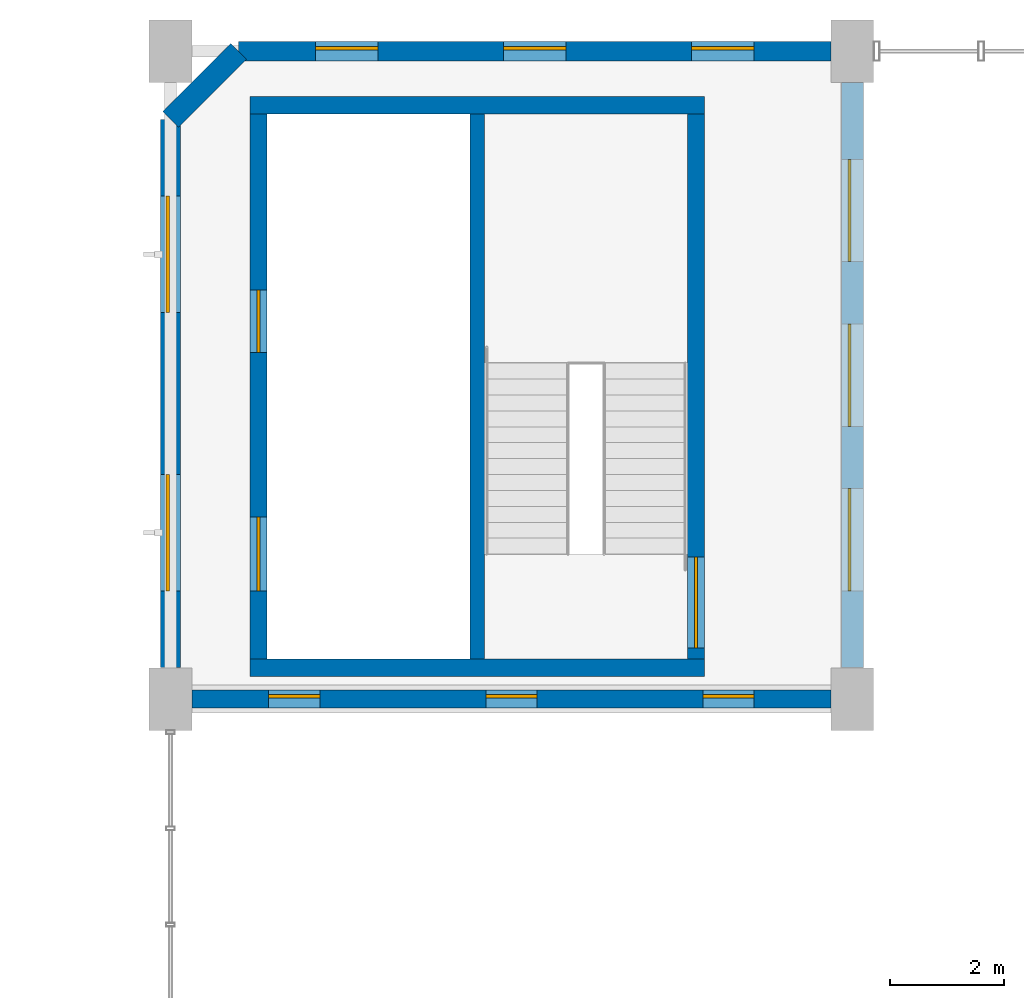
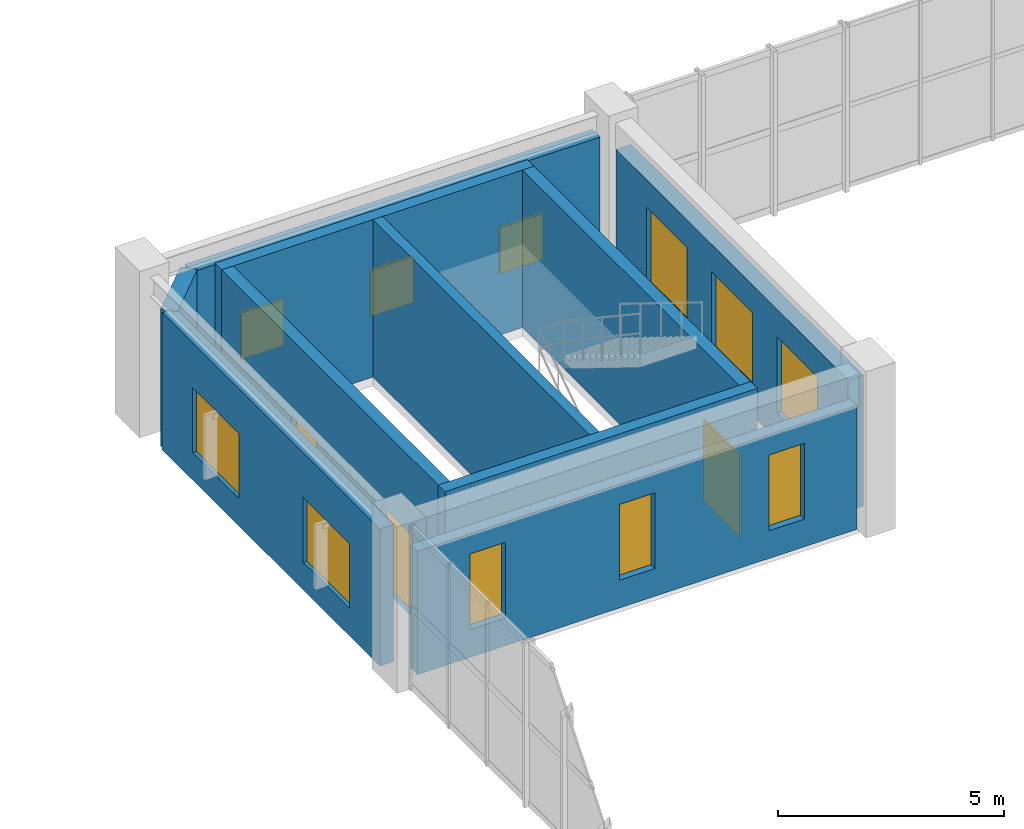
# One storey, part 39 of 48: 11 windows, 10 walls, 3 doors, 14 openings.
"""IFC4 building model written with IfcOpenShell, lengths in metres."""

from ifc_helpers import new_model, si_unit, direction, frame, frame_2d, origin, place, context, subcontext, project, spatial, rectangle, extrude, material, layer, layer_set, type_object, element, fill, save


model = new_model("IFC4")

# Units and contexts
model_context = context("Model", 3, precision=1e-05, world=origin(), true_north=direction((0.0, 1.0)))
body_context = subcontext(model_context, "Body", "Model", "MODEL_VIEW")
ifc_project = project(units=[si_unit("LENGTHUNIT", "METRE"), si_unit("AREAUNIT", "SQUARE_METRE"), si_unit("VOLUMEUNIT", "CUBIC_METRE"), si_unit("PLANEANGLEUNIT", "RADIAN"), si_unit("MASSUNIT", "GRAM", prefix="KILO"), si_unit("POWERUNIT", "WATT"), si_unit("THERMODYNAMICTEMPERATUREUNIT", "KELVIN")], contexts=[model_context])

# Site, building, storey
site_placement = place(None, origin())
site = spatial("IfcSite", under=ifc_project, at=site_placement, CompositionType="ELEMENT")
building_placement = place(site_placement, origin())
building = spatial("IfcBuilding", under=site, at=building_placement, Name="Kelmbourne Parkland Aquatics Centre", CompositionType="ELEMENT")
storey_placement = place(building_placement, frame((0.0, 0.0, 14.699951171875)))
storey = spatial("IfcBuildingStorey", under=building, at=storey_placement, Name="L03", CompositionType="ELEMENT", Elevation=14.699951171875)

# Walls
ifc_material_1 = material(Name="Concrete C40/50", Category="concrete")
ifc_layer_1 = layer(ifc_material_1, 0.25)
ifc_layer_set_1 = layer_set([ifc_layer_1], Name="Concrete C40/50")
wall_type_1 = type_object("IfcWallType", Name="W-CORE-250", PredefinedType="SHEAR", material=ifc_layer_set_1)
wall_1_placement = place(storey_placement, frame((133.39990234375, 104.10009765625, 0.0), z_axis=(0.0, 0.0, 1.0), x_axis=(0.0, 1.0, 0.0)))
element("IfcWall", 1, at=wall_1_placement, inside=storey, type_object=wall_type_1, Name="North Diving Control Fire-Fighting Core divider wall (L03)", PredefinedType="SHEAR", context=body_context, shape_type="SweptSolid", body=[
    extrude(rectangle(XDim=9.599853515625, YDim=0.25, at=frame_2d((4.7998046875, 0.0))), origin(), (0.0, 0.0, 1.0), 4.260009765625),
])
ifc_layer_2 = layer(ifc_material_1, 0.300048828125)
ifc_layer_set_2 = layer_set([ifc_layer_2], Name="Concrete C40/50")
wall_type_2 = type_object("IfcWallType", Name="W-CORE-300", PredefinedType="SHEAR", material=ifc_layer_set_2)
for number, where, z_axis, x_axis, name in (
    (2, (129.39990234375, 103.949951171875, 0.0), (0.0, 0.0, 1.0), (1.0, 0.0, 0.0), "North Diving Control Fire-Fighting Core south wall (L03)"),
    (3, (129.39990234375, 113.85009765625, 0.0), (0.0, 0.0, 1.0), (1.0, 0.0, 0.0), "North Diving Control Fire-Fighting Core north wall (L03)"),
):
    element("IfcWall", number, at=place(storey_placement, frame(where, z_axis=z_axis, x_axis=x_axis)), inside=storey, type_object=wall_type_2, Name=name, PredefinedType="SHEAR", context=body_context, shape_type="SweptSolid", body=[
        extrude(rectangle(XDim=8.0, YDim=0.300048828125, at=frame_2d((4.0, 0.0))), origin(), (0.0, 0.0, 1.0), 4.260009765625),
    ])

# Wall, openings, doors
wall_2_placement = place(storey_placement, frame((129.550048828125, 104.10009765625, 0.0), z_axis=(0.0, 0.0, 1.0), x_axis=(0.0, 1.0, 0.0)))
wall_2 = element("IfcWall", 4, at=wall_2_placement, inside=storey, type_object=wall_type_2, Name="North Diving Control Fire-Fighting Core west wall (L03)", PredefinedType="SHEAR", context=body_context, shape_type="SweptSolid", body=[
    extrude(rectangle(XDim=9.599853515625, YDim=0.300048828125, at=frame_2d((4.7998046875, 0.0))), origin(), (0.0, 0.0, 1.0), 4.260009765625),
])
opening_1_placement = place(wall_2_placement, frame((1.199951171875, 0.0, 0.0)))
opening_1 = element("IfcOpeningElement", 5, at=opening_1_placement, cuts=wall_2, Name="Opening LD02", PredefinedType="OPENING", context=body_context, shape_type="SweptSolid", body=[
    extrude(rectangle(XDim=1.300048828125, YDim=2.199951171875, at=frame_2d((0.64990234375, 1.10009765625))), frame((0.0, 0.162109375, 0.0), z_axis=(0.0, -1.0, 0.0), x_axis=(1.0, 0.0, 0.0)), (0.0, 0.0, 1.0), 0.323974609375),
])
opening_2_placement = place(wall_2_placement, frame((5.39990234375, 0.0, 0.0)))
opening_2 = element("IfcOpeningElement", 6, at=opening_2_placement, cuts=wall_2, Name="Opening LD01", PredefinedType="OPENING", context=body_context, shape_type="SweptSolid", body=[
    extrude(rectangle(XDim=1.10009765625, YDim=2.199951171875, at=frame_2d((0.550048828125, 1.10009765625))), frame((0.0, 0.162109375, 0.0), z_axis=(0.0, -1.0, 0.0), x_axis=(1.0, 0.0, 0.0)), (0.0, 0.0, 1.0), 0.323974609375),
])
ifc_material_2 = material(Name="Marine-grade stainless steel and fire-rated hardwood doorset", Category="steel")
ifc_layer_3 = layer(ifc_material_2, 0.050048828125)
ifc_layer_set_3 = layer_set([ifc_layer_3], Name="Marine-grade stainless steel and fire-rated hardwood doorset")
door_type_1 = type_object("IfcDoorType", Name="DR-LD-110", OperationType="NOTDEFINED", PredefinedType="DOOR", material=ifc_layer_set_3)
door_1_placement = place(opening_2_placement, origin())
door_1 = element("IfcDoor", 7, at=door_1_placement, inside=storey, type_object=door_type_1, Name="Lift landing sliding door LF08 (L03)", OperationType="SLIDING_TO_RIGHT", OverallHeight=2.199951171875, OverallWidth=1.10009765625, PredefinedType="DOOR", context=body_context, shape_type="SweptSolid", body=[
    extrude(rectangle(XDim=1.10009765625, YDim=2.199951171875, at=frame_2d((0.550048828125, 1.10009765625))), frame((0.0, 0.02490234375, 0.0), z_axis=(0.0, -1.0, 0.0), x_axis=(1.0, 0.0, 0.0)), (0.0, 0.0, 1.0), 0.050048828125),
])
fill(opening_2, door_1)
ifc_layer_4 = layer(ifc_material_2, 0.050048828125)
ifc_layer_set_4 = layer_set([ifc_layer_4], Name="Marine-grade stainless steel and fire-rated hardwood doorset")
door_type_2 = type_object("IfcDoorType", Name="DR-LD-130", OperationType="NOTDEFINED", PredefinedType="DOOR", material=ifc_layer_set_4)
door_2_placement = place(opening_1_placement, origin())
door_2 = element("IfcDoor", 8, at=door_2_placement, inside=storey, type_object=door_type_2, Name="Lift landing sliding door LF07 (L03)", OperationType="SLIDING_TO_LEFT", OverallHeight=2.199951171875, OverallWidth=1.300048828125, PredefinedType="DOOR", context=body_context, shape_type="SweptSolid", body=[
    extrude(rectangle(XDim=1.300048828125, YDim=2.199951171875, at=frame_2d((0.64990234375, 1.10009765625))), frame((0.0, 0.02490234375, 0.0), z_axis=(0.0, -1.0, 0.0), x_axis=(1.0, 0.0, 0.0)), (0.0, 0.0, 1.0), 0.050048828125),
])
fill(opening_1, door_2)

# Wall, opening, door
wall_3_placement = place(storey_placement, frame((137.25, 104.10009765625, 0.0), z_axis=(0.0, 0.0, 1.0), x_axis=(0.0, 1.0, 0.0)))
wall_3 = element("IfcWall", 9, at=wall_3_placement, inside=storey, type_object=wall_type_2, Name="North Diving Control Fire-Fighting Core east wall (L03)", PredefinedType="SHEAR", context=body_context, shape_type="SweptSolid", body=[
    extrude(rectangle(XDim=9.599853515625, YDim=0.300048828125, at=frame_2d((4.7998046875, 0.0))), origin(), (0.0, 0.0, 1.0), 4.260009765625),
])
opening_3_placement = place(wall_3_placement, frame((0.199951171875, 0.0, 0.0)))
opening_3 = element("IfcOpeningElement", 10, at=opening_3_placement, cuts=wall_3, Name="Opening FD02", PredefinedType="OPENING", context=body_context, shape_type="SweptSolid", body=[
    extrude(rectangle(XDim=1.60009765625, YDim=2.199951171875, at=frame_2d((0.800048828125, 1.10009765625))), frame((0.0, 0.162109375, 0.0), z_axis=(0.0, -1.0, 0.0), x_axis=(1.0, 0.0, 0.0)), (0.0, 0.0, 1.0), 0.323974609375),
])
ifc_layer_5 = layer(ifc_material_2, 0.050048828125)
ifc_layer_set_5 = layer_set([ifc_layer_5], Name="Marine-grade stainless steel and fire-rated hardwood doorset")
door_type_3 = type_object("IfcDoorType", Name="DR-FD-160", OperationType="NOTDEFINED", PredefinedType="DOOR", material=ifc_layer_set_5)
door_3_placement = place(opening_3_placement, frame((1.60009765625, 0.0, 0.0), z_axis=(0.0, 0.0, 1.0), x_axis=(-1.0, 0.0, 0.0)))
door_3 = element("IfcDoor", 11, at=door_3_placement, inside=storey, type_object=door_type_3, Name="Fire stair door ST05 (L03)", OperationType="DOUBLE_DOOR_SINGLE_SWING", OverallHeight=2.199951171875, OverallWidth=1.60009765625, PredefinedType="DOOR", context=body_context, shape_type="SweptSolid", body=[
    extrude(rectangle(XDim=1.60009765625, YDim=2.199951171875, at=frame_2d((0.800048828125, 1.10009765625))), frame((0.0, 0.02490234375, 0.0), z_axis=(0.0, -1.0, 0.0), x_axis=(1.0, 0.0, 0.0)), (0.0, 0.0, 1.0), 0.050048828125),
])
fill(opening_3, door_3)

# Wall, openings, windows
ifc_material_3 = material(Name="Russet clinker clay brickwork", Category="masonry")
ifc_layer_6 = layer(ifc_material_3, 0.31005859375)
ifc_layer_set_6 = layer_set([ifc_layer_6], Name="Russet clinker clay brickwork")
wall_type_3 = type_object("IfcWallType", Name="W-EXT-310", PredefinedType="STANDARD", material=ifc_layer_set_6)
wall_4_placement = place(storey_placement, frame((128.376953125, 103.39990234375, 0.0), z_axis=(0.0, 0.0, 1.0), x_axis=(1.0, 0.0, 0.0)))
wall_4 = element("IfcWall", 12, at=wall_4_placement, inside=storey, type_object=wall_type_3, Name="Exterior polychrome brick wall EW-L03-134", PredefinedType="STANDARD", context=body_context, shape_type="SweptSolid", body=[
    extrude(rectangle(XDim=11.24609375, YDim=0.31005859375, at=frame_2d((5.623046875, 0.0))), origin(), (0.0, 0.0, 1.0), 3.344970703125),
])
opening_4_placement = place(wall_4_placement, frame((1.35009765625, 0.0, 0.75)))
opening_4 = element("IfcOpeningElement", 13, at=opening_4_placement, cuts=wall_4, Name="Opening W07", PredefinedType="OPENING", context=body_context, shape_type="SweptSolid", body=[
    extrude(rectangle(XDim=0.89990234375, YDim=2.050048828125, at=frame_2d((0.449951171875, 1.02490234375))), frame((0.0, 0.1669921875, 0.0), z_axis=(0.0, -1.0, 0.0), x_axis=(1.0, 0.0, 0.0)), (0.0, 0.0, 1.0), 0.333984375),
])
opening_5_placement = place(wall_4_placement, frame((5.173095703125, 0.0, 0.75)))
opening_5 = element("IfcOpeningElement", 14, at=opening_5_placement, cuts=wall_4, Name="Opening W07", PredefinedType="OPENING", context=body_context, shape_type="SweptSolid", body=[
    extrude(rectangle(XDim=0.89990234375, YDim=2.050048828125, at=frame_2d((0.449951171875, 1.02490234375))), frame((0.0, 0.1669921875, 0.0), z_axis=(0.0, -1.0, 0.0), x_axis=(1.0, 0.0, 0.0)), (0.0, 0.0, 1.0), 0.333984375),
])
opening_6_placement = place(wall_4_placement, frame((8.99609375, 0.0, 0.75)))
opening_6 = element("IfcOpeningElement", 15, at=opening_6_placement, cuts=wall_4, Name="Opening W07", PredefinedType="OPENING", context=body_context, shape_type="SweptSolid", body=[
    extrude(rectangle(XDim=0.89990234375, YDim=2.050048828125, at=frame_2d((0.449951171875, 1.02490234375))), frame((0.0, 0.1669921875, 0.0), z_axis=(0.0, -1.0, 0.0), x_axis=(1.0, 0.0, 0.0)), (0.0, 0.0, 1.0), 0.333984375),
])
ifc_material_4 = material(Name="Thermally broken anodised aluminium window with low-e glass", Category="aluminium")
ifc_layer_7 = layer(ifc_material_4, 0.090087890625)
ifc_layer_set_7 = layer_set([ifc_layer_7], Name="Thermally broken anodised aluminium window with low-e glass")
window_type_1 = type_object("IfcWindowType", Name="WN-07", PartitioningType="SINGLE_PANEL", PredefinedType="WINDOW", material=ifc_layer_set_7)
window_1_placement = place(opening_4_placement, origin())
window_1 = element("IfcWindow", 16, at=window_1_placement, inside=storey, type_object=window_type_1, Name="Deep-reveal masonry window W07", OverallHeight=2.050048828125, OverallWidth=0.89990234375, PartitioningType="SINGLE_PANEL", PredefinedType="WINDOW", context=body_context, shape_type="SweptSolid", body=[
    extrude(rectangle(XDim=0.89990234375, YDim=2.050048828125, at=frame_2d((0.449951171875, 1.02490234375))), frame((0.0, 0.080078125, 0.0), z_axis=(0.0, -1.0, 0.0), x_axis=(1.0, 0.0, 0.0)), (0.0, 0.0, 1.0), 0.06005859375),
])
fill(opening_4, window_1)
window_2_placement = place(opening_5_placement, origin())
window_2 = element("IfcWindow", 17, at=window_2_placement, inside=storey, type_object=window_type_1, Name="Deep-reveal masonry window W07", OverallHeight=2.050048828125, OverallWidth=0.89990234375, PartitioningType="SINGLE_PANEL", PredefinedType="WINDOW", context=body_context, shape_type="SweptSolid", body=[
    extrude(rectangle(XDim=0.89990234375, YDim=2.050048828125, at=frame_2d((0.449951171875, 1.02490234375))), frame((0.0, 0.080078125, 0.0), z_axis=(0.0, -1.0, 0.0), x_axis=(1.0, 0.0, 0.0)), (0.0, 0.0, 1.0), 0.06005859375),
])
fill(opening_5, window_2)
window_3_placement = place(opening_6_placement, origin())
window_3 = element("IfcWindow", 18, at=window_3_placement, inside=storey, type_object=window_type_1, Name="Deep-reveal masonry window W07", OverallHeight=2.050048828125, OverallWidth=0.89990234375, PartitioningType="SINGLE_PANEL", PredefinedType="WINDOW", context=body_context, shape_type="SweptSolid", body=[
    extrude(rectangle(XDim=0.89990234375, YDim=2.050048828125, at=frame_2d((0.449951171875, 1.02490234375))), frame((0.0, 0.080078125, 0.0), z_axis=(0.0, -1.0, 0.0), x_axis=(1.0, 0.0, 0.0)), (0.0, 0.0, 1.0), 0.06005859375),
])
fill(opening_6, window_3)

ifc_material_5 = material(Name="Polychrome glazed brick header coursework", Category="masonry")
ifc_layer_8 = layer(ifc_material_5, 0.35009765625)
ifc_layer_set_8 = layer_set([ifc_layer_8], Name="Polychrome glazed brick header coursework")
wall_type_4 = type_object("IfcWallType", Name="W-EXT-350", PredefinedType="STANDARD", material=ifc_layer_set_8)
wall_5_placement = place(storey_placement, frame((128.0, 103.951904296875, 0.0), z_axis=(0.0, 0.0, 1.0), x_axis=(0.0, 1.0, 0.0)))
wall_5 = element("IfcWall", 19, at=wall_5_placement, inside=storey, type_object=wall_type_4, Name="Exterior polychrome brick wall EW-L03-133", PredefinedType="STANDARD", context=body_context, shape_type="SweptSolid", body=[
    extrude(rectangle(XDim=9.648193359375, YDim=0.35009765625, at=frame_2d((4.82421875, 0.0))), origin(), (0.0, 0.0, 1.0), 3.712158203125),
])
opening_7_placement = place(wall_5_placement, frame((1.35009765625, 0.0, 0.75)))
opening_7 = element("IfcOpeningElement", 20, at=opening_7_placement, cuts=wall_5, Name="Opening W05", PredefinedType="OPENING", context=body_context, shape_type="SweptSolid", body=[
    extrude(rectangle(XDim=2.050048828125, YDim=1.75, at=frame_2d((1.02490234375, 0.875))), frame((0.0, 0.18701171875, 0.0), z_axis=(0.0, -1.0, 0.0), x_axis=(1.0, 0.0, 0.0)), (0.0, 0.0, 1.0), 0.3740234375),
])
opening_8_placement = place(wall_5_placement, frame((6.248046875, 0.0, 0.75)))
opening_8 = element("IfcOpeningElement", 21, at=opening_8_placement, cuts=wall_5, Name="Opening W05", PredefinedType="OPENING", context=body_context, shape_type="SweptSolid", body=[
    extrude(rectangle(XDim=2.050048828125, YDim=1.75, at=frame_2d((1.02490234375, 0.875))), frame((0.0, 0.18701171875, 0.0), z_axis=(0.0, -1.0, 0.0), x_axis=(1.0, 0.0, 0.0)), (0.0, 0.0, 1.0), 0.3740234375),
])
ifc_layer_9 = layer(ifc_material_4, 0.090087890625)
ifc_layer_set_9 = layer_set([ifc_layer_9], Name="Thermally broken anodised aluminium window with low-e glass")
window_type_2 = type_object("IfcWindowType", Name="WN-05", PartitioningType="TRIPLE_PANEL_VERTICAL", PredefinedType="WINDOW", material=ifc_layer_set_9)
window_4_placement = place(opening_7_placement, origin())
window_4 = element("IfcWindow", 22, at=window_4_placement, inside=storey, type_object=window_type_2, Name="Deep-reveal masonry window W05", OverallHeight=1.75, OverallWidth=2.050048828125, PartitioningType="TRIPLE_PANEL_VERTICAL", PredefinedType="WINDOW", context=body_context, shape_type="SweptSolid", body=[
    extrude(rectangle(XDim=2.050048828125, YDim=1.75, at=frame_2d((1.02490234375, 0.875))), frame((0.0, 0.080078125, 0.0), z_axis=(0.0, -1.0, 0.0), x_axis=(1.0, 0.0, 0.0)), (0.0, 0.0, 1.0), 0.06005859375),
])
fill(opening_7, window_4)
window_5_placement = place(opening_8_placement, origin())
window_5 = element("IfcWindow", 23, at=window_5_placement, inside=storey, type_object=window_type_2, Name="Deep-reveal masonry window W05", OverallHeight=1.75, OverallWidth=2.050048828125, PartitioningType="TRIPLE_PANEL_VERTICAL", PredefinedType="WINDOW", context=body_context, shape_type="SweptSolid", body=[
    extrude(rectangle(XDim=2.050048828125, YDim=1.75, at=frame_2d((1.02490234375, 0.875))), frame((0.0, 0.080078125, 0.0), z_axis=(0.0, -1.0, 0.0), x_axis=(1.0, 0.0, 0.0)), (0.0, 0.0, 1.0), 0.06005859375),
])
fill(opening_8, window_5)

wall_6_placement = place(storey_placement, frame((129.199951171875, 114.800048828125, 0.0), z_axis=(0.0, 0.0, 1.0), x_axis=(1.0, 0.0, 0.0)))
wall_6 = element("IfcWall", 24, at=wall_6_placement, inside=storey, type_object=wall_type_4, Name="Exterior polychrome brick wall EW-L03-136", PredefinedType="STANDARD", context=body_context, shape_type="SweptSolid", body=[
    extrude(rectangle(XDim=10.423095703125, YDim=0.35009765625, at=frame_2d((5.21142578125, 0.0))), origin(), (0.0, 0.0, 1.0), 3.712158203125),
])
opening_9_placement = place(wall_6_placement, frame((1.35009765625, 0.0, 0.75)))
opening_9 = element("IfcOpeningElement", 25, at=opening_9_placement, cuts=wall_6, Name="Opening W13", PredefinedType="OPENING", context=body_context, shape_type="SweptSolid", body=[
    extrude(rectangle(XDim=1.10009765625, YDim=1.25, at=frame_2d((0.550048828125, 0.625))), frame((0.0, 0.18701171875, 0.0), z_axis=(0.0, -1.0, 0.0), x_axis=(1.0, 0.0, 0.0)), (0.0, 0.0, 1.0), 0.3740234375),
])
opening_10_placement = place(wall_6_placement, frame((4.66162109375, 0.0, 0.75)))
opening_10 = element("IfcOpeningElement", 26, at=opening_10_placement, cuts=wall_6, Name="Opening W13", PredefinedType="OPENING", context=body_context, shape_type="SweptSolid", body=[
    extrude(rectangle(XDim=1.10009765625, YDim=1.25, at=frame_2d((0.550048828125, 0.625))), frame((0.0, 0.18701171875, 0.0), z_axis=(0.0, -1.0, 0.0), x_axis=(1.0, 0.0, 0.0)), (0.0, 0.0, 1.0), 0.3740234375),
])
opening_11_placement = place(wall_6_placement, frame((7.972900390625, 0.0, 0.75)))
opening_11 = element("IfcOpeningElement", 27, at=opening_11_placement, cuts=wall_6, Name="Opening W13", PredefinedType="OPENING", context=body_context, shape_type="SweptSolid", body=[
    extrude(rectangle(XDim=1.10009765625, YDim=1.25, at=frame_2d((0.550048828125, 0.625))), frame((0.0, 0.18701171875, 0.0), z_axis=(0.0, -1.0, 0.0), x_axis=(1.0, 0.0, 0.0)), (0.0, 0.0, 1.0), 0.3740234375),
])
ifc_layer_10 = layer(ifc_material_4, 0.090087890625)
ifc_layer_set_10 = layer_set([ifc_layer_10], Name="Thermally broken anodised aluminium window with low-e glass")
window_type_3 = type_object("IfcWindowType", Name="WN-13", PartitioningType="SINGLE_PANEL", PredefinedType="WINDOW", material=ifc_layer_set_10)
window_6_placement = place(opening_9_placement, origin())
window_6 = element("IfcWindow", 28, at=window_6_placement, inside=storey, type_object=window_type_3, Name="Deep-reveal masonry window W13", OverallHeight=1.25, OverallWidth=1.10009765625, PartitioningType="SINGLE_PANEL", PredefinedType="WINDOW", context=body_context, shape_type="SweptSolid", body=[
    extrude(rectangle(XDim=1.10009765625, YDim=1.25, at=frame_2d((0.550048828125, 0.625))), frame((0.0, 0.080078125, 0.0), z_axis=(0.0, -1.0, 0.0), x_axis=(1.0, 0.0, 0.0)), (0.0, 0.0, 1.0), 0.06005859375),
])
fill(opening_9, window_6)
window_7_placement = place(opening_10_placement, origin())
window_7 = element("IfcWindow", 29, at=window_7_placement, inside=storey, type_object=window_type_3, Name="Deep-reveal masonry window W13", OverallHeight=1.25, OverallWidth=1.10009765625, PartitioningType="SINGLE_PANEL", PredefinedType="WINDOW", context=body_context, shape_type="SweptSolid", body=[
    extrude(rectangle(XDim=1.10009765625, YDim=1.25, at=frame_2d((0.550048828125, 0.625))), frame((0.0, 0.080078125, 0.0), z_axis=(0.0, -1.0, 0.0), x_axis=(1.0, 0.0, 0.0)), (0.0, 0.0, 1.0), 0.06005859375),
])
fill(opening_10, window_7)
window_8_placement = place(opening_11_placement, origin())
window_8 = element("IfcWindow", 30, at=window_8_placement, inside=storey, type_object=window_type_3, Name="Deep-reveal masonry window W13", OverallHeight=1.25, OverallWidth=1.10009765625, PartitioningType="SINGLE_PANEL", PredefinedType="WINDOW", context=body_context, shape_type="SweptSolid", body=[
    extrude(rectangle(XDim=1.10009765625, YDim=1.25, at=frame_2d((0.550048828125, 0.625))), frame((0.0, 0.080078125, 0.0), z_axis=(0.0, -1.0, 0.0), x_axis=(1.0, 0.0, 0.0)), (0.0, 0.0, 1.0), 0.06005859375),
])
fill(opening_11, window_8)

ifc_layer_11 = layer(ifc_material_3, 0.389892578125)
ifc_layer_set_11 = layer_set([ifc_layer_11], Name="Russet clinker clay brickwork")
wall_type_5 = type_object("IfcWallType", Name="W-EXT-390", PredefinedType="STANDARD", material=ifc_layer_set_11)
wall_7_placement = place(storey_placement, frame((140.0, 103.951904296875, 0.0), z_axis=(0.0, 0.0, 1.0), x_axis=(0.0, 1.0, 0.0)))
wall_7 = element("IfcWall", 31, at=wall_7_placement, inside=storey, type_object=wall_type_5, Name="Exterior polychrome brick wall EW-L03-135", PredefinedType="STANDARD", context=body_context, shape_type="SweptSolid", body=[
    extrude(rectangle(XDim=10.296142578125, YDim=0.389892578125, at=frame_2d((5.14794921875, 0.0))), origin(), (0.0, 0.0, 1.0), 3.545166015625),
])
opening_12_placement = place(wall_7_placement, frame((1.35009765625, 0.0, 0.75)))
opening_12 = element("IfcOpeningElement", 32, at=opening_12_placement, cuts=wall_7, Name="Opening W10", PredefinedType="OPENING", context=body_context, shape_type="SweptSolid", body=[
    extrude(rectangle(XDim=1.800048828125, YDim=2.050048828125, at=frame_2d((0.89990234375, 1.02490234375))), frame((0.0, 0.20703125, 0.0), z_axis=(0.0, -1.0, 0.0), x_axis=(1.0, 0.0, 0.0)), (0.0, 0.0, 1.0), 0.413818359375),
])
opening_13_placement = place(wall_7_placement, frame((4.248046875, 0.0, 0.75)))
opening_13 = element("IfcOpeningElement", 33, at=opening_13_placement, cuts=wall_7, Name="Opening W10", PredefinedType="OPENING", context=body_context, shape_type="SweptSolid", body=[
    extrude(rectangle(XDim=1.800048828125, YDim=2.050048828125, at=frame_2d((0.89990234375, 1.02490234375))), frame((0.0, 0.20703125, 0.0), z_axis=(0.0, -1.0, 0.0), x_axis=(1.0, 0.0, 0.0)), (0.0, 0.0, 1.0), 0.413818359375),
])
opening_14_placement = place(wall_7_placement, frame((7.14599609375, 0.0, 0.75)))
opening_14 = element("IfcOpeningElement", 34, at=opening_14_placement, cuts=wall_7, Name="Opening W10", PredefinedType="OPENING", context=body_context, shape_type="SweptSolid", body=[
    extrude(rectangle(XDim=1.800048828125, YDim=2.050048828125, at=frame_2d((0.89990234375, 1.02490234375))), frame((0.0, 0.20703125, 0.0), z_axis=(0.0, -1.0, 0.0), x_axis=(1.0, 0.0, 0.0)), (0.0, 0.0, 1.0), 0.413818359375),
])
ifc_layer_12 = layer(ifc_material_4, 0.090087890625)
ifc_layer_set_12 = layer_set([ifc_layer_12], Name="Thermally broken anodised aluminium window with low-e glass")
window_type_4 = type_object("IfcWindowType", Name="WN-10", PartitioningType="DOUBLE_PANEL_VERTICAL", PredefinedType="WINDOW", material=ifc_layer_set_12)
window_9_placement = place(opening_12_placement, origin())
window_9 = element("IfcWindow", 35, at=window_9_placement, inside=storey, type_object=window_type_4, Name="Deep-reveal masonry window W10", OverallHeight=2.050048828125, OverallWidth=1.800048828125, PartitioningType="DOUBLE_PANEL_VERTICAL", PredefinedType="WINDOW", context=body_context, shape_type="SweptSolid", body=[
    extrude(rectangle(XDim=1.800048828125, YDim=2.050048828125, at=frame_2d((0.89990234375, 1.02490234375))), frame((0.0, 0.080078125, 0.0), z_axis=(0.0, -1.0, 0.0), x_axis=(1.0, 0.0, 0.0)), (0.0, 0.0, 1.0), 0.06005859375),
])
fill(opening_12, window_9)
window_10_placement = place(opening_13_placement, origin())
window_10 = element("IfcWindow", 36, at=window_10_placement, inside=storey, type_object=window_type_4, Name="Deep-reveal masonry window W10", OverallHeight=2.050048828125, OverallWidth=1.800048828125, PartitioningType="DOUBLE_PANEL_VERTICAL", PredefinedType="WINDOW", context=body_context, shape_type="SweptSolid", body=[
    extrude(rectangle(XDim=1.800048828125, YDim=2.050048828125, at=frame_2d((0.89990234375, 1.02490234375))), frame((0.0, 0.080078125, 0.0), z_axis=(0.0, -1.0, 0.0), x_axis=(1.0, 0.0, 0.0)), (0.0, 0.0, 1.0), 0.06005859375),
])
fill(opening_13, window_10)
window_11_placement = place(opening_14_placement, origin())
window_11 = element("IfcWindow", 37, at=window_11_placement, inside=storey, type_object=window_type_4, Name="Deep-reveal masonry window W10", OverallHeight=2.050048828125, OverallWidth=1.800048828125, PartitioningType="DOUBLE_PANEL_VERTICAL", PredefinedType="WINDOW", context=body_context, shape_type="SweptSolid", body=[
    extrude(rectangle(XDim=1.800048828125, YDim=2.050048828125, at=frame_2d((0.89990234375, 1.02490234375))), frame((0.0, 0.080078125, 0.0), z_axis=(0.0, -1.0, 0.0), x_axis=(1.0, 0.0, 0.0)), (0.0, 0.0, 1.0), 0.06005859375),
])
fill(opening_14, window_11)

# Wall
wall_8_placement = place(storey_placement, frame((128.0, 113.60009765625, 0.0), z_axis=(0.0, 0.0, 1.0), x_axis=(0.707106781187, 0.707106781187, 0.0)))
element("IfcWall", 38, at=wall_8_placement, inside=storey, type_object=wall_type_5, Name="Stepped brick corner bevel CHAM-L03-V2", PredefinedType="STANDARD", context=body_context, shape_type="SweptSolid", body=[
    extrude(rectangle(XDim=1.697021484375, YDim=0.389892578125, at=frame_2d((0.8486328125, 0.0))), origin(), (0.0, 0.0, 1.0), 3.712158203125),
])

save(model, "model.ifc")
